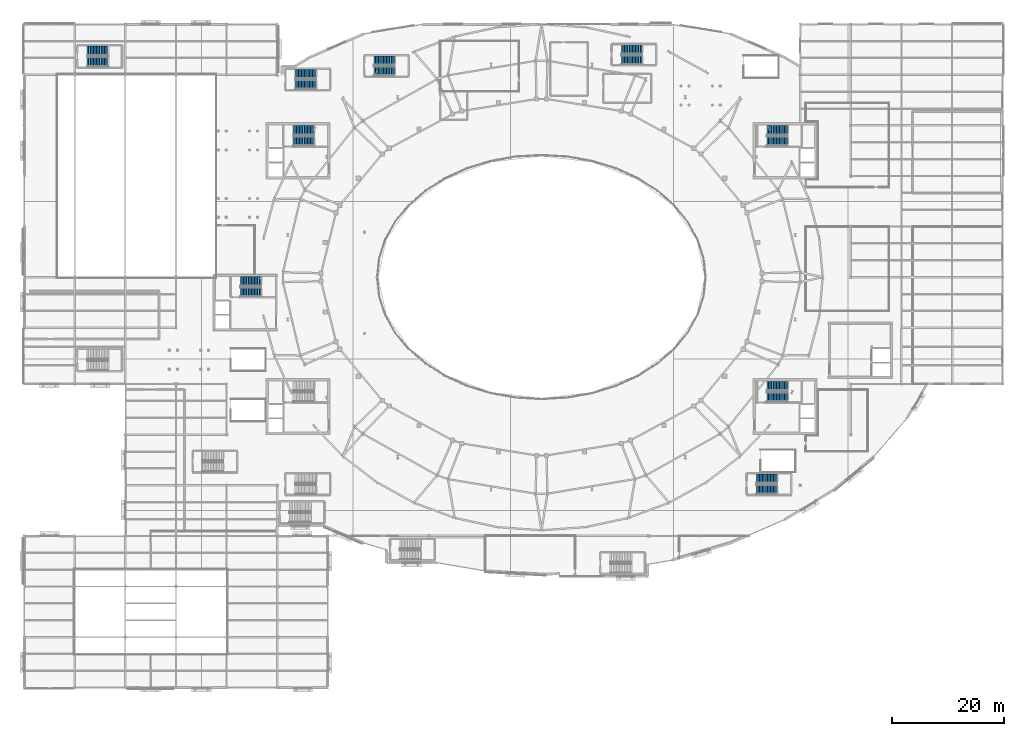
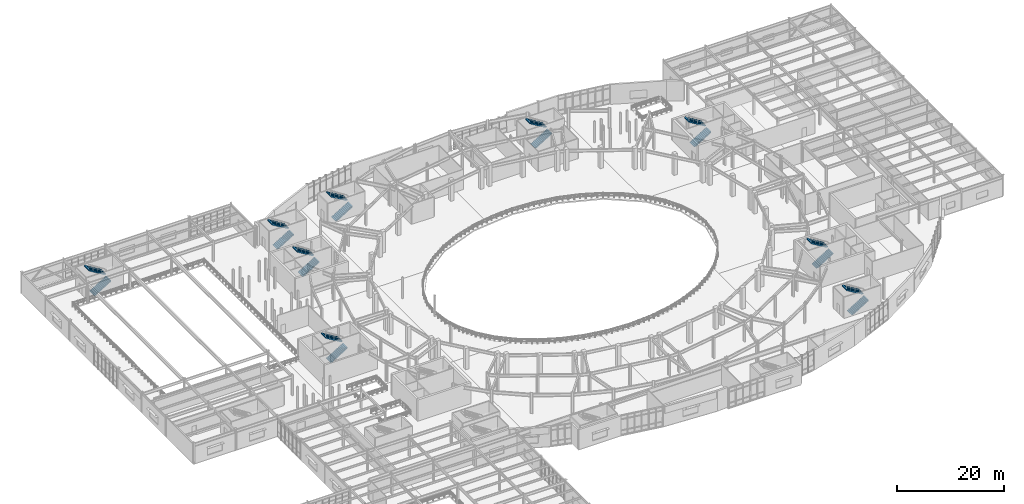
# One storey, part 68 of 86: 18 stair flights, 9 elements without a shape of their own.
"""IFC4 building model written with IfcOpenShell, lengths in metres."""

from ifc_helpers import new_model, si_unit, direction, frame, origin, place, context, subcontext, project, spatial, polyline, outline, extrude, material, type_object, element, aggregate, save


model = new_model("IFC4")

# Units and contexts
model_context = context("Model", 3, precision=1e-05, world=origin(), true_north=direction((0.0, 1.0)))
body_context = subcontext(model_context, "Body", "Model", "MODEL_VIEW")
ifc_project = project(units=[si_unit("LENGTHUNIT", "METRE"), si_unit("AREAUNIT", "SQUARE_METRE"), si_unit("VOLUMEUNIT", "CUBIC_METRE"), si_unit("PLANEANGLEUNIT", "RADIAN"), si_unit("MASSUNIT", "GRAM", prefix="KILO")], contexts=[model_context])

# Site, building, storey
site_placement = place(None, origin())
site = spatial("IfcSite", under=ifc_project, at=site_placement, CompositionType="ELEMENT")
building_placement = place(site_placement, origin())
building = spatial("IfcBuilding", under=site, at=building_placement, Name="Glasvene Arena", CompositionType="ELEMENT")
storey_placement = place(building_placement, frame((0.0, 0.0, 5.39990234375)))
storey = spatial("IfcBuildingStorey", under=building, at=storey_placement, Name="L01", CompositionType="ELEMENT", Elevation=5.39990234375)

# Stair, stair flights
ifc_material = material(Name="Concrete C40/50", Category="concrete")
stair_type_1 = type_object("IfcStairType", Name="ST-HT-480-165", PredefinedType="HALF_TURN_STAIR", material=ifc_material)
stair_1_placement = place(storey_placement, origin())
stair_1 = element("IfcStair", 1, at=stair_1_placement, inside=storey, type_object=stair_type_1, Name="Protected escape stair ST-07 (L01 to L02)", PredefinedType="HALF_TURN_STAIR")
stair_flight_type_1 = type_object("IfcStairFlightType", Name="SF-HT-480-165", PredefinedType="STRAIGHT", material=ifc_material)
stair_flight_1_placement = place(storey_placement, frame((38.449951171875, 70.375, 0.0), z_axis=(0.0, 0.0, 1.0), x_axis=(1.0, 0.0, 0.0)))
stair_flight_1 = element("IfcStairFlight", 2, at=stair_flight_1_placement, type_object=stair_flight_type_1, Name="Protected escape stair ST-07 (L01 to L02) flight 1", NumberOfRisers=14, NumberOfTreads=13, PredefinedType="STRAIGHT", RiserHeight=0.171429, TreadLength=0.28, context=body_context, shape_type="SweptSolid", body=[
    extrude(outline(polyline([(0.0, 0.0), (0.0, 0.17138671875), (0.280029296875, 0.17138671875), (0.280029296875, 0.3427734375), (0.56005859375, 0.3427734375), (0.56005859375, 0.514404296875), (0.840087890625, 0.514404296875), (0.840087890625, 0.685791015625), (1.1201171875, 0.685791015625), (1.1201171875, 0.857177734375), (1.39990234375, 0.857177734375), (1.39990234375, 1.028564453125), (1.679931640625, 1.028564453125), (1.679931640625, 1.199951171875), (1.9599609375, 1.199951171875), (1.9599609375, 1.371337890625), (2.239990234375, 1.371337890625), (2.239990234375, 1.54296875), (2.52001953125, 1.54296875), (2.52001953125, 1.71435546875), (2.800048828125, 1.71435546875), (2.800048828125, 1.8857421875), (3.080078125, 1.8857421875), (3.080078125, 2.05712890625), (3.360107421875, 2.05712890625), (3.360107421875, 2.228515625), (3.639892578125, 2.228515625), (3.639892578125, 2.39990234375), (3.639892578125, 1.994140625), (0.383056640625, 0.0), (0.0, 0.0)])), frame((0.0, 0.824951171875, 0.0), z_axis=(0.0, -1.0, 0.0), x_axis=(1.0, 0.0, 0.0)), (0.0, 0.0, 1.0), 1.64990234375),
])
stair_flight_2_placement = place(storey_placement, frame((42.090087890625, 72.27490234375, 2.400146484375), z_axis=(0.0, 0.0, 1.0), x_axis=(-1.0, 0.0, 0.0)))
stair_flight_2 = element("IfcStairFlight", 3, at=stair_flight_2_placement, type_object=stair_flight_type_1, Name="Protected escape stair ST-07 (L01 to L02) flight 2", NumberOfRisers=14, NumberOfTreads=13, PredefinedType="STRAIGHT", RiserHeight=0.171429, TreadLength=0.28, context=body_context, shape_type="SweptSolid", body=[
    extrude(outline(polyline([(0.0, 0.0), (0.0, 0.17138671875), (0.280029296875, 0.17138671875), (0.280029296875, 0.3427734375), (0.56005859375, 0.3427734375), (0.56005859375, 0.514404296875), (0.840087890625, 0.514404296875), (0.840087890625, 0.685791015625), (1.1201171875, 0.685791015625), (1.1201171875, 0.857177734375), (1.39990234375, 0.857177734375), (1.39990234375, 1.028564453125), (1.679931640625, 1.028564453125), (1.679931640625, 1.199951171875), (1.9599609375, 1.199951171875), (1.9599609375, 1.371337890625), (2.239990234375, 1.371337890625), (2.239990234375, 1.54296875), (2.52001953125, 1.54296875), (2.52001953125, 1.71435546875), (2.800048828125, 1.71435546875), (2.800048828125, 1.8857421875), (3.080078125, 1.8857421875), (3.080078125, 2.05712890625), (3.360107421875, 2.05712890625), (3.360107421875, 2.228515625), (3.639892578125, 2.228515625), (3.639892578125, 2.39990234375), (3.639892578125, 1.994140625), (0.383056640625, 0.0), (0.0, 0.0)])), frame((0.0, 0.824951171875, 0.0), z_axis=(0.0, -1.0, 0.0), x_axis=(1.0, 0.0, 0.0)), (0.0, 0.0, 1.0), 1.64990234375),
])
aggregate(stair_1, [stair_flight_1, stair_flight_2])

stair_2_placement = place(storey_placement, origin())
stair_2 = element("IfcStair", 4, at=stair_2_placement, inside=storey, type_object=stair_type_1, Name="Protected escape stair ST-10 (L01 to L02)", PredefinedType="HALF_TURN_STAIR")
stair_flight_3_placement = place(storey_placement, frame((62.199951171875, 109.625, 0.0), z_axis=(0.0, 0.0, 1.0), x_axis=(1.0, 0.0, 0.0)))
stair_flight_3 = element("IfcStairFlight", 5, at=stair_flight_3_placement, type_object=stair_flight_type_1, Name="Protected escape stair ST-10 (L01 to L02) flight 1", NumberOfRisers=14, NumberOfTreads=13, PredefinedType="STRAIGHT", RiserHeight=0.171429, TreadLength=0.28, context=body_context, shape_type="SweptSolid", body=[
    extrude(outline(polyline([(0.0, 0.0), (0.0, 0.17138671875), (0.280029296875, 0.17138671875), (0.280029296875, 0.3427734375), (0.56005859375, 0.3427734375), (0.56005859375, 0.514404296875), (0.840087890625, 0.514404296875), (0.840087890625, 0.685791015625), (1.1201171875, 0.685791015625), (1.1201171875, 0.857177734375), (1.39990234375, 0.857177734375), (1.39990234375, 1.028564453125), (1.679931640625, 1.028564453125), (1.679931640625, 1.199951171875), (1.9599609375, 1.199951171875), (1.9599609375, 1.371337890625), (2.239990234375, 1.371337890625), (2.239990234375, 1.54296875), (2.52001953125, 1.54296875), (2.52001953125, 1.71435546875), (2.800048828125, 1.71435546875), (2.800048828125, 1.8857421875), (3.080078125, 1.8857421875), (3.080078125, 2.05712890625), (3.360107421875, 2.05712890625), (3.360107421875, 2.228515625), (3.639892578125, 2.228515625), (3.639892578125, 2.39990234375), (3.639892578125, 1.994140625), (0.383056640625, 0.0), (0.0, 0.0)])), frame((0.0, 0.824951171875, 0.0), z_axis=(0.0, -1.0, 0.0), x_axis=(1.0, 0.0, 0.0)), (0.0, 0.0, 1.0), 1.64990234375),
])
stair_flight_4_placement = place(storey_placement, frame((65.840087890625, 111.52490234375, 2.400146484375), z_axis=(0.0, 0.0, 1.0), x_axis=(-1.0, 0.0, 0.0)))
stair_flight_4 = element("IfcStairFlight", 6, at=stair_flight_4_placement, type_object=stair_flight_type_1, Name="Protected escape stair ST-10 (L01 to L02) flight 2", NumberOfRisers=14, NumberOfTreads=13, PredefinedType="STRAIGHT", RiserHeight=0.171429, TreadLength=0.28, context=body_context, shape_type="SweptSolid", body=[
    extrude(outline(polyline([(0.0, 0.0), (0.0, 0.17138671875), (0.280029296875, 0.17138671875), (0.280029296875, 0.3427734375), (0.56005859375, 0.3427734375), (0.56005859375, 0.514404296875), (0.840087890625, 0.514404296875), (0.840087890625, 0.685791015625), (1.1201171875, 0.685791015625), (1.1201171875, 0.857177734375), (1.39990234375, 0.857177734375), (1.39990234375, 1.028564453125), (1.679931640625, 1.028564453125), (1.679931640625, 1.199951171875), (1.9599609375, 1.199951171875), (1.9599609375, 1.371337890625), (2.239990234375, 1.371337890625), (2.239990234375, 1.54296875), (2.52001953125, 1.54296875), (2.52001953125, 1.71435546875), (2.800048828125, 1.71435546875), (2.800048828125, 1.8857421875), (3.080078125, 1.8857421875), (3.080078125, 2.05712890625), (3.360107421875, 2.05712890625), (3.360107421875, 2.228515625), (3.639892578125, 2.228515625), (3.639892578125, 2.39990234375), (3.639892578125, 1.994140625), (0.383056640625, 0.0), (0.0, 0.0)])), frame((0.0, 0.824951171875, 0.0), z_axis=(0.0, -1.0, 0.0), x_axis=(1.0, 0.0, 0.0)), (0.0, 0.0, 1.0), 1.64990234375),
])
aggregate(stair_2, [stair_flight_3, stair_flight_4])

stair_3_placement = place(storey_placement, origin())
stair_3 = element("IfcStair", 7, at=stair_3_placement, inside=storey, type_object=stair_type_1, Name="Protected escape stair ST-11 (L01 to L02)", PredefinedType="HALF_TURN_STAIR")
stair_flight_5_placement = place(storey_placement, frame((106.199951171875, 111.625, 0.0), z_axis=(0.0, 0.0, 1.0), x_axis=(1.0, 0.0, 0.0)))
stair_flight_5 = element("IfcStairFlight", 8, at=stair_flight_5_placement, type_object=stair_flight_type_1, Name="Protected escape stair ST-11 (L01 to L02) flight 1", NumberOfRisers=14, NumberOfTreads=13, PredefinedType="STRAIGHT", RiserHeight=0.171429, TreadLength=0.28, context=body_context, shape_type="SweptSolid", body=[
    extrude(outline(polyline([(0.0, 0.0), (0.0, 0.17138671875), (0.280029296875, 0.17138671875), (0.280029296875, 0.3427734375), (0.56005859375, 0.3427734375), (0.56005859375, 0.514404296875), (0.840087890625, 0.514404296875), (0.840087890625, 0.685791015625), (1.1201171875, 0.685791015625), (1.1201171875, 0.857177734375), (1.39990234375, 0.857177734375), (1.39990234375, 1.028564453125), (1.679931640625, 1.028564453125), (1.679931640625, 1.199951171875), (1.9599609375, 1.199951171875), (1.9599609375, 1.371337890625), (2.239990234375, 1.371337890625), (2.239990234375, 1.54296875), (2.52001953125, 1.54296875), (2.52001953125, 1.71435546875), (2.800048828125, 1.71435546875), (2.800048828125, 1.8857421875), (3.080078125, 1.8857421875), (3.080078125, 2.05712890625), (3.360107421875, 2.05712890625), (3.360107421875, 2.228515625), (3.639892578125, 2.228515625), (3.639892578125, 2.39990234375), (3.639892578125, 1.994140625), (0.383056640625, 0.0), (0.0, 0.0)])), frame((0.0, 0.824951171875, 0.0), z_axis=(0.0, -1.0, 0.0), x_axis=(1.0, 0.0, 0.0)), (0.0, 0.0, 1.0), 1.64990234375),
])
stair_flight_6_placement = place(storey_placement, frame((109.840087890625, 113.52490234375, 2.400146484375), z_axis=(0.0, 0.0, 1.0), x_axis=(-1.0, 0.0, 0.0)))
stair_flight_6 = element("IfcStairFlight", 9, at=stair_flight_6_placement, type_object=stair_flight_type_1, Name="Protected escape stair ST-11 (L01 to L02) flight 2", NumberOfRisers=14, NumberOfTreads=13, PredefinedType="STRAIGHT", RiserHeight=0.171429, TreadLength=0.28, context=body_context, shape_type="SweptSolid", body=[
    extrude(outline(polyline([(0.0, 0.0), (0.0, 0.17138671875), (0.280029296875, 0.17138671875), (0.280029296875, 0.3427734375), (0.56005859375, 0.3427734375), (0.56005859375, 0.514404296875), (0.840087890625, 0.514404296875), (0.840087890625, 0.685791015625), (1.1201171875, 0.685791015625), (1.1201171875, 0.857177734375), (1.39990234375, 0.857177734375), (1.39990234375, 1.028564453125), (1.679931640625, 1.028564453125), (1.679931640625, 1.199951171875), (1.9599609375, 1.199951171875), (1.9599609375, 1.371337890625), (2.239990234375, 1.371337890625), (2.239990234375, 1.54296875), (2.52001953125, 1.54296875), (2.52001953125, 1.71435546875), (2.800048828125, 1.71435546875), (2.800048828125, 1.8857421875), (3.080078125, 1.8857421875), (3.080078125, 2.05712890625), (3.360107421875, 2.05712890625), (3.360107421875, 2.228515625), (3.639892578125, 2.228515625), (3.639892578125, 2.39990234375), (3.639892578125, 1.994140625), (0.383056640625, 0.0), (0.0, 0.0)])), frame((0.0, 0.824951171875, 0.0), z_axis=(0.0, -1.0, 0.0), x_axis=(1.0, 0.0, 0.0)), (0.0, 0.0, 1.0), 1.64990234375),
])
aggregate(stair_3, [stair_flight_5, stair_flight_6])

stair_4_placement = place(storey_placement, origin())
stair_4 = element("IfcStair", 10, at=stair_4_placement, inside=storey, type_object=stair_type_1, Name="Protected escape stair ST-12 (L01 to L02)", PredefinedType="HALF_TURN_STAIR")
stair_flight_7_placement = place(storey_placement, frame((48.199951171875, 107.22509765625, 0.0), z_axis=(0.0, 0.0, 1.0), x_axis=(1.0, 0.0, 0.0)))
stair_flight_7 = element("IfcStairFlight", 11, at=stair_flight_7_placement, type_object=stair_flight_type_1, Name="Protected escape stair ST-12 (L01 to L02) flight 1", NumberOfRisers=14, NumberOfTreads=13, PredefinedType="STRAIGHT", RiserHeight=0.171429, TreadLength=0.28, context=body_context, shape_type="SweptSolid", body=[
    extrude(outline(polyline([(0.0, 0.0), (0.0, 0.17138671875), (0.280029296875, 0.17138671875), (0.280029296875, 0.3427734375), (0.56005859375, 0.3427734375), (0.56005859375, 0.514404296875), (0.840087890625, 0.514404296875), (0.840087890625, 0.685791015625), (1.1201171875, 0.685791015625), (1.1201171875, 0.857177734375), (1.39990234375, 0.857177734375), (1.39990234375, 1.028564453125), (1.679931640625, 1.028564453125), (1.679931640625, 1.199951171875), (1.9599609375, 1.199951171875), (1.9599609375, 1.371337890625), (2.239990234375, 1.371337890625), (2.239990234375, 1.54296875), (2.52001953125, 1.54296875), (2.52001953125, 1.71435546875), (2.800048828125, 1.71435546875), (2.800048828125, 1.8857421875), (3.080078125, 1.8857421875), (3.080078125, 2.05712890625), (3.360107421875, 2.05712890625), (3.360107421875, 2.228515625), (3.639892578125, 2.228515625), (3.639892578125, 2.39990234375), (3.639892578125, 1.994140625), (0.383056640625, 0.0), (0.0, 0.0)])), frame((0.0, 0.824951171875, 0.0), z_axis=(0.0, -1.0, 0.0), x_axis=(1.0, 0.0, 0.0)), (0.0, 0.0, 1.0), 1.64990234375),
])
stair_flight_8_placement = place(storey_placement, frame((51.840087890625, 109.125, 2.400146484375), z_axis=(0.0, 0.0, 1.0), x_axis=(-1.0, 0.0, 0.0)))
stair_flight_8 = element("IfcStairFlight", 12, at=stair_flight_8_placement, type_object=stair_flight_type_1, Name="Protected escape stair ST-12 (L01 to L02) flight 2", NumberOfRisers=14, NumberOfTreads=13, PredefinedType="STRAIGHT", RiserHeight=0.171429, TreadLength=0.28, context=body_context, shape_type="SweptSolid", body=[
    extrude(outline(polyline([(0.0, 0.0), (0.0, 0.17138671875), (0.280029296875, 0.17138671875), (0.280029296875, 0.3427734375), (0.56005859375, 0.3427734375), (0.56005859375, 0.514404296875), (0.840087890625, 0.514404296875), (0.840087890625, 0.685791015625), (1.1201171875, 0.685791015625), (1.1201171875, 0.857177734375), (1.39990234375, 0.857177734375), (1.39990234375, 1.028564453125), (1.679931640625, 1.028564453125), (1.679931640625, 1.199951171875), (1.9599609375, 1.199951171875), (1.9599609375, 1.371337890625), (2.239990234375, 1.371337890625), (2.239990234375, 1.54296875), (2.52001953125, 1.54296875), (2.52001953125, 1.71435546875), (2.800048828125, 1.71435546875), (2.800048828125, 1.8857421875), (3.080078125, 1.8857421875), (3.080078125, 2.05712890625), (3.360107421875, 2.05712890625), (3.360107421875, 2.228515625), (3.639892578125, 2.228515625), (3.639892578125, 2.39990234375), (3.639892578125, 1.994140625), (0.383056640625, 0.0), (0.0, 0.0)])), frame((0.0, 0.824951171875, 0.0), z_axis=(0.0, -1.0, 0.0), x_axis=(1.0, 0.0, 0.0)), (0.0, 0.0, 1.0), 1.64990234375),
])
aggregate(stair_4, [stair_flight_7, stair_flight_8])

stair_type_2 = type_object("IfcStairType", Name="ST-HT-480-170", PredefinedType="HALF_TURN_STAIR", material=ifc_material)
stair_5_placement = place(storey_placement, origin())
stair_5 = element("IfcStair", 13, at=stair_5_placement, inside=storey, type_object=stair_type_2, Name="Protected escape stair ST-01 (L01 to L02)", PredefinedType="HALF_TURN_STAIR")
stair_flight_type_2 = type_object("IfcStairFlightType", Name="SF-HT-480-170", PredefinedType="STRAIGHT", material=ifc_material)
stair_flight_9_placement = place(storey_placement, frame((47.85009765625, 97.199951171875, 0.0), z_axis=(0.0, 0.0, 1.0), x_axis=(1.0, 0.0, 0.0)))
stair_flight_9 = element("IfcStairFlight", 14, at=stair_flight_9_placement, type_object=stair_flight_type_2, Name="Protected escape stair ST-01 (L01 to L02) flight 1", NumberOfRisers=14, NumberOfTreads=13, PredefinedType="STRAIGHT", RiserHeight=0.171429, TreadLength=0.28, context=body_context, shape_type="SweptSolid", body=[
    extrude(outline(polyline([(0.0, 0.0), (0.0, 0.17138671875), (0.280029296875, 0.17138671875), (0.280029296875, 0.3427734375), (0.56005859375, 0.3427734375), (0.56005859375, 0.514404296875), (0.840087890625, 0.514404296875), (0.840087890625, 0.685791015625), (1.1201171875, 0.685791015625), (1.1201171875, 0.857177734375), (1.39990234375, 0.857177734375), (1.39990234375, 1.028564453125), (1.679931640625, 1.028564453125), (1.679931640625, 1.199951171875), (1.9599609375, 1.199951171875), (1.9599609375, 1.371337890625), (2.239990234375, 1.371337890625), (2.239990234375, 1.54296875), (2.52001953125, 1.54296875), (2.52001953125, 1.71435546875), (2.800048828125, 1.71435546875), (2.800048828125, 1.8857421875), (3.080078125, 1.8857421875), (3.080078125, 2.05712890625), (3.360107421875, 2.05712890625), (3.360107421875, 2.228515625), (3.639892578125, 2.228515625), (3.639892578125, 2.39990234375), (3.639892578125, 1.994140625), (0.383056640625, 0.0), (0.0, 0.0)])), frame((0.0, 0.85009765625, 0.0), z_axis=(0.0, -1.0, 0.0), x_axis=(1.0, 0.0, 0.0)), (0.0, 0.0, 1.0), 1.699951171875),
])
stair_flight_10_placement = place(storey_placement, frame((51.489990234375, 99.14990234375, 2.400146484375), z_axis=(0.0, 0.0, 1.0), x_axis=(-1.0, 0.0, 0.0)))
stair_flight_10 = element("IfcStairFlight", 15, at=stair_flight_10_placement, type_object=stair_flight_type_2, Name="Protected escape stair ST-01 (L01 to L02) flight 2", NumberOfRisers=14, NumberOfTreads=13, PredefinedType="STRAIGHT", RiserHeight=0.171429, TreadLength=0.28, context=body_context, shape_type="SweptSolid", body=[
    extrude(outline(polyline([(0.0, 0.0), (0.0, 0.17138671875), (0.280029296875, 0.17138671875), (0.280029296875, 0.3427734375), (0.56005859375, 0.3427734375), (0.56005859375, 0.514404296875), (0.840087890625, 0.514404296875), (0.840087890625, 0.685791015625), (1.1201171875, 0.685791015625), (1.1201171875, 0.857177734375), (1.39990234375, 0.857177734375), (1.39990234375, 1.028564453125), (1.679931640625, 1.028564453125), (1.679931640625, 1.199951171875), (1.9599609375, 1.199951171875), (1.9599609375, 1.371337890625), (2.239990234375, 1.371337890625), (2.239990234375, 1.54296875), (2.52001953125, 1.54296875), (2.52001953125, 1.71435546875), (2.800048828125, 1.71435546875), (2.800048828125, 1.8857421875), (3.080078125, 1.8857421875), (3.080078125, 2.05712890625), (3.360107421875, 2.05712890625), (3.360107421875, 2.228515625), (3.639892578125, 2.228515625), (3.639892578125, 2.39990234375), (3.639892578125, 1.994140625), (0.383056640625, 0.0), (0.0, 0.0)])), frame((0.0, 0.85009765625, 0.0), z_axis=(0.0, -1.0, 0.0), x_axis=(1.0, 0.0, 0.0)), (0.0, 0.0, 1.0), 1.699951171875),
])
aggregate(stair_5, [stair_flight_9, stair_flight_10])

stair_6_placement = place(storey_placement, origin())
stair_6 = element("IfcStair", 16, at=stair_6_placement, inside=storey, type_object=stair_type_2, Name="Protected escape stair ST-02 (L01 to L02)", PredefinedType="HALF_TURN_STAIR")
stair_flight_11_placement = place(storey_placement, frame((132.10009765625, 97.199951171875, 0.0), z_axis=(0.0, 0.0, 1.0), x_axis=(1.0, 0.0, 0.0)))
stair_flight_11 = element("IfcStairFlight", 17, at=stair_flight_11_placement, type_object=stair_flight_type_2, Name="Protected escape stair ST-02 (L01 to L02) flight 1", NumberOfRisers=14, NumberOfTreads=13, PredefinedType="STRAIGHT", RiserHeight=0.171429, TreadLength=0.28, context=body_context, shape_type="SweptSolid", body=[
    extrude(outline(polyline([(0.0, 0.0), (0.0, 0.17138671875), (0.280029296875, 0.17138671875), (0.280029296875, 0.3427734375), (0.56005859375, 0.3427734375), (0.56005859375, 0.514404296875), (0.840087890625, 0.514404296875), (0.840087890625, 0.685791015625), (1.1201171875, 0.685791015625), (1.1201171875, 0.857177734375), (1.39990234375, 0.857177734375), (1.39990234375, 1.028564453125), (1.679931640625, 1.028564453125), (1.679931640625, 1.199951171875), (1.9599609375, 1.199951171875), (1.9599609375, 1.371337890625), (2.239990234375, 1.371337890625), (2.239990234375, 1.54296875), (2.52001953125, 1.54296875), (2.52001953125, 1.71435546875), (2.800048828125, 1.71435546875), (2.800048828125, 1.8857421875), (3.080078125, 1.8857421875), (3.080078125, 2.05712890625), (3.360107421875, 2.05712890625), (3.360107421875, 2.228515625), (3.639892578125, 2.228515625), (3.639892578125, 2.39990234375), (3.639892578125, 1.994140625), (0.383056640625, 0.0), (0.0, 0.0)])), frame((0.0, 0.85009765625, 0.0), z_axis=(0.0, -1.0, 0.0), x_axis=(1.0, 0.0, 0.0)), (0.0, 0.0, 1.0), 1.699951171875),
])
stair_flight_12_placement = place(storey_placement, frame((135.739990234375, 99.14990234375, 2.400146484375), z_axis=(0.0, 0.0, 1.0), x_axis=(-1.0, 0.0, 0.0)))
stair_flight_12 = element("IfcStairFlight", 18, at=stair_flight_12_placement, type_object=stair_flight_type_2, Name="Protected escape stair ST-02 (L01 to L02) flight 2", NumberOfRisers=14, NumberOfTreads=13, PredefinedType="STRAIGHT", RiserHeight=0.171429, TreadLength=0.28, context=body_context, shape_type="SweptSolid", body=[
    extrude(outline(polyline([(0.0, 0.0), (0.0, 0.17138671875), (0.280029296875, 0.17138671875), (0.280029296875, 0.3427734375), (0.56005859375, 0.3427734375), (0.56005859375, 0.514404296875), (0.840087890625, 0.514404296875), (0.840087890625, 0.685791015625), (1.1201171875, 0.685791015625), (1.1201171875, 0.857177734375), (1.39990234375, 0.857177734375), (1.39990234375, 1.028564453125), (1.679931640625, 1.028564453125), (1.679931640625, 1.199951171875), (1.9599609375, 1.199951171875), (1.9599609375, 1.371337890625), (2.239990234375, 1.371337890625), (2.239990234375, 1.54296875), (2.52001953125, 1.54296875), (2.52001953125, 1.71435546875), (2.800048828125, 1.71435546875), (2.800048828125, 1.8857421875), (3.080078125, 1.8857421875), (3.080078125, 2.05712890625), (3.360107421875, 2.05712890625), (3.360107421875, 2.228515625), (3.639892578125, 2.228515625), (3.639892578125, 2.39990234375), (3.639892578125, 1.994140625), (0.383056640625, 0.0), (0.0, 0.0)])), frame((0.0, 0.85009765625, 0.0), z_axis=(0.0, -1.0, 0.0), x_axis=(1.0, 0.0, 0.0)), (0.0, 0.0, 1.0), 1.699951171875),
])
aggregate(stair_6, [stair_flight_11, stair_flight_12])

stair_7_placement = place(storey_placement, origin())
stair_7 = element("IfcStair", 19, at=stair_7_placement, inside=storey, type_object=stair_type_2, Name="Protected escape stair ST-04 (L01 to L02)", PredefinedType="HALF_TURN_STAIR")
stair_flight_13_placement = place(storey_placement, frame((132.10009765625, 51.699951171875, 0.0), z_axis=(0.0, 0.0, 1.0), x_axis=(1.0, 0.0, 0.0)))
stair_flight_13 = element("IfcStairFlight", 20, at=stair_flight_13_placement, type_object=stair_flight_type_2, Name="Protected escape stair ST-04 (L01 to L02) flight 1", NumberOfRisers=14, NumberOfTreads=13, PredefinedType="STRAIGHT", RiserHeight=0.171429, TreadLength=0.28, context=body_context, shape_type="SweptSolid", body=[
    extrude(outline(polyline([(0.0, 0.0), (0.0, 0.17138671875), (0.280029296875, 0.17138671875), (0.280029296875, 0.3427734375), (0.56005859375, 0.3427734375), (0.56005859375, 0.514404296875), (0.840087890625, 0.514404296875), (0.840087890625, 0.685791015625), (1.1201171875, 0.685791015625), (1.1201171875, 0.857177734375), (1.39990234375, 0.857177734375), (1.39990234375, 1.028564453125), (1.679931640625, 1.028564453125), (1.679931640625, 1.199951171875), (1.9599609375, 1.199951171875), (1.9599609375, 1.371337890625), (2.239990234375, 1.371337890625), (2.239990234375, 1.54296875), (2.52001953125, 1.54296875), (2.52001953125, 1.71435546875), (2.800048828125, 1.71435546875), (2.800048828125, 1.8857421875), (3.080078125, 1.8857421875), (3.080078125, 2.05712890625), (3.360107421875, 2.05712890625), (3.360107421875, 2.228515625), (3.639892578125, 2.228515625), (3.639892578125, 2.39990234375), (3.639892578125, 1.994140625), (0.383056640625, 0.0), (0.0, 0.0)])), frame((0.0, 0.85009765625, 0.0), z_axis=(0.0, -1.0, 0.0), x_axis=(1.0, 0.0, 0.0)), (0.0, 0.0, 1.0), 1.699951171875),
])
stair_flight_14_placement = place(storey_placement, frame((135.739990234375, 53.64990234375, 2.400146484375), z_axis=(0.0, 0.0, 1.0), x_axis=(-1.0, 0.0, 0.0)))
stair_flight_14 = element("IfcStairFlight", 21, at=stair_flight_14_placement, type_object=stair_flight_type_2, Name="Protected escape stair ST-04 (L01 to L02) flight 2", NumberOfRisers=14, NumberOfTreads=13, PredefinedType="STRAIGHT", RiserHeight=0.171429, TreadLength=0.28, context=body_context, shape_type="SweptSolid", body=[
    extrude(outline(polyline([(0.0, 0.0), (0.0, 0.17138671875), (0.280029296875, 0.17138671875), (0.280029296875, 0.3427734375), (0.56005859375, 0.3427734375), (0.56005859375, 0.514404296875), (0.840087890625, 0.514404296875), (0.840087890625, 0.685791015625), (1.1201171875, 0.685791015625), (1.1201171875, 0.857177734375), (1.39990234375, 0.857177734375), (1.39990234375, 1.028564453125), (1.679931640625, 1.028564453125), (1.679931640625, 1.199951171875), (1.9599609375, 1.199951171875), (1.9599609375, 1.371337890625), (2.239990234375, 1.371337890625), (2.239990234375, 1.54296875), (2.52001953125, 1.54296875), (2.52001953125, 1.71435546875), (2.800048828125, 1.71435546875), (2.800048828125, 1.8857421875), (3.080078125, 1.8857421875), (3.080078125, 2.05712890625), (3.360107421875, 2.05712890625), (3.360107421875, 2.228515625), (3.639892578125, 2.228515625), (3.639892578125, 2.39990234375), (3.639892578125, 1.994140625), (0.383056640625, 0.0), (0.0, 0.0)])), frame((0.0, 0.85009765625, 0.0), z_axis=(0.0, -1.0, 0.0), x_axis=(1.0, 0.0, 0.0)), (0.0, 0.0, 1.0), 1.699951171875),
])
aggregate(stair_7, [stair_flight_13, stair_flight_14])

stair_8_placement = place(storey_placement, origin())
stair_8 = element("IfcStair", 22, at=stair_8_placement, inside=storey, type_object=stair_type_2, Name="Protected escape stair ST-06 (L01 to L02)", PredefinedType="HALF_TURN_STAIR")
stair_flight_15_placement = place(storey_placement, frame((130.199951171875, 35.25, 0.0), z_axis=(0.0, 0.0, 1.0), x_axis=(1.0, 0.0, 0.0)))
stair_flight_15 = element("IfcStairFlight", 23, at=stair_flight_15_placement, type_object=stair_flight_type_2, Name="Protected escape stair ST-06 (L01 to L02) flight 1", NumberOfRisers=14, NumberOfTreads=13, PredefinedType="STRAIGHT", RiserHeight=0.171429, TreadLength=0.28, context=body_context, shape_type="SweptSolid", body=[
    extrude(outline(polyline([(0.0, 0.0), (0.0, 0.17138671875), (0.280029296875, 0.17138671875), (0.280029296875, 0.3427734375), (0.56005859375, 0.3427734375), (0.56005859375, 0.514404296875), (0.840087890625, 0.514404296875), (0.840087890625, 0.685791015625), (1.1201171875, 0.685791015625), (1.1201171875, 0.857177734375), (1.39990234375, 0.857177734375), (1.39990234375, 1.028564453125), (1.679931640625, 1.028564453125), (1.679931640625, 1.199951171875), (1.9599609375, 1.199951171875), (1.9599609375, 1.371337890625), (2.239990234375, 1.371337890625), (2.239990234375, 1.54296875), (2.52001953125, 1.54296875), (2.52001953125, 1.71435546875), (2.800048828125, 1.71435546875), (2.800048828125, 1.8857421875), (3.080078125, 1.8857421875), (3.080078125, 2.05712890625), (3.360107421875, 2.05712890625), (3.360107421875, 2.228515625), (3.639892578125, 2.228515625), (3.639892578125, 2.39990234375), (3.639892578125, 1.994140625), (0.383056640625, 0.0), (0.0, 0.0)])), frame((0.0, 0.85009765625, 0.0), z_axis=(0.0, -1.0, 0.0), x_axis=(1.0, 0.0, 0.0)), (0.0, 0.0, 1.0), 1.699951171875),
])
stair_flight_16_placement = place(storey_placement, frame((133.840087890625, 37.199951171875, 2.400146484375), z_axis=(0.0, 0.0, 1.0), x_axis=(-1.0, 0.0, 0.0)))
stair_flight_16 = element("IfcStairFlight", 24, at=stair_flight_16_placement, type_object=stair_flight_type_2, Name="Protected escape stair ST-06 (L01 to L02) flight 2", NumberOfRisers=14, NumberOfTreads=13, PredefinedType="STRAIGHT", RiserHeight=0.171429, TreadLength=0.28, context=body_context, shape_type="SweptSolid", body=[
    extrude(outline(polyline([(0.0, 0.0), (0.0, 0.17138671875), (0.280029296875, 0.17138671875), (0.280029296875, 0.3427734375), (0.56005859375, 0.3427734375), (0.56005859375, 0.514404296875), (0.840087890625, 0.514404296875), (0.840087890625, 0.685791015625), (1.1201171875, 0.685791015625), (1.1201171875, 0.857177734375), (1.39990234375, 0.857177734375), (1.39990234375, 1.028564453125), (1.679931640625, 1.028564453125), (1.679931640625, 1.199951171875), (1.9599609375, 1.199951171875), (1.9599609375, 1.371337890625), (2.239990234375, 1.371337890625), (2.239990234375, 1.54296875), (2.52001953125, 1.54296875), (2.52001953125, 1.71435546875), (2.800048828125, 1.71435546875), (2.800048828125, 1.8857421875), (3.080078125, 1.8857421875), (3.080078125, 2.05712890625), (3.360107421875, 2.05712890625), (3.360107421875, 2.228515625), (3.639892578125, 2.228515625), (3.639892578125, 2.39990234375), (3.639892578125, 1.994140625), (0.383056640625, 0.0), (0.0, 0.0)])), frame((0.0, 0.85009765625, 0.0), z_axis=(0.0, -1.0, 0.0), x_axis=(1.0, 0.0, 0.0)), (0.0, 0.0, 1.0), 1.699951171875),
])
aggregate(stair_8, [stair_flight_15, stair_flight_16])

stair_type_3 = type_object("IfcStairType", Name="ST-HT-480-175", PredefinedType="HALF_TURN_STAIR", material=ifc_material)
stair_9_placement = place(storey_placement, origin())
stair_9 = element("IfcStair", 25, at=stair_9_placement, inside=storey, type_object=stair_type_3, Name="Protected escape stair ST-14 (L01 to L02)", PredefinedType="HALF_TURN_STAIR")
stair_flight_type_3 = type_object("IfcStairFlightType", Name="SF-HT-480-175", PredefinedType="STRAIGHT", material=ifc_material)
stair_flight_17_placement = place(storey_placement, frame((11.199951171875, 111.27490234375, 0.0), z_axis=(0.0, 0.0, 1.0), x_axis=(1.0, 0.0, 0.0)))
stair_flight_17 = element("IfcStairFlight", 26, at=stair_flight_17_placement, type_object=stair_flight_type_3, Name="Protected escape stair ST-14 (L01 to L02) flight 1", NumberOfRisers=14, NumberOfTreads=13, PredefinedType="STRAIGHT", RiserHeight=0.171429, TreadLength=0.28, context=body_context, shape_type="SweptSolid", body=[
    extrude(outline(polyline([(0.0, 0.0), (0.0, 0.17138671875), (0.280029296875, 0.17138671875), (0.280029296875, 0.3427734375), (0.56005859375, 0.3427734375), (0.56005859375, 0.514404296875), (0.840087890625, 0.514404296875), (0.840087890625, 0.685791015625), (1.1201171875, 0.685791015625), (1.1201171875, 0.857177734375), (1.39990234375, 0.857177734375), (1.39990234375, 1.028564453125), (1.679931640625, 1.028564453125), (1.679931640625, 1.199951171875), (1.9599609375, 1.199951171875), (1.9599609375, 1.371337890625), (2.239990234375, 1.371337890625), (2.239990234375, 1.54296875), (2.52001953125, 1.54296875), (2.52001953125, 1.71435546875), (2.800048828125, 1.71435546875), (2.800048828125, 1.8857421875), (3.080078125, 1.8857421875), (3.080078125, 2.05712890625), (3.360107421875, 2.05712890625), (3.360107421875, 2.228515625), (3.639892578125, 2.228515625), (3.639892578125, 2.39990234375), (3.639892578125, 1.994140625), (0.383056640625, 0.0), (0.0, 0.0)])), frame((0.0, 0.875, 0.0), z_axis=(0.0, -1.0, 0.0), x_axis=(1.0, 0.0, 0.0)), (0.0, 0.0, 1.0), 1.75),
])
stair_flight_18_placement = place(storey_placement, frame((14.840087890625, 113.27490234375, 2.400146484375), z_axis=(0.0, 0.0, 1.0), x_axis=(-1.0, 0.0, 0.0)))
stair_flight_18 = element("IfcStairFlight", 27, at=stair_flight_18_placement, type_object=stair_flight_type_3, Name="Protected escape stair ST-14 (L01 to L02) flight 2", NumberOfRisers=14, NumberOfTreads=13, PredefinedType="STRAIGHT", RiserHeight=0.171429, TreadLength=0.28, context=body_context, shape_type="SweptSolid", body=[
    extrude(outline(polyline([(0.0, 0.0), (0.0, 0.17138671875), (0.280029296875, 0.17138671875), (0.280029296875, 0.3427734375), (0.56005859375, 0.3427734375), (0.56005859375, 0.514404296875), (0.840087890625, 0.514404296875), (0.840087890625, 0.685791015625), (1.1201171875, 0.685791015625), (1.1201171875, 0.857177734375), (1.39990234375, 0.857177734375), (1.39990234375, 1.028564453125), (1.679931640625, 1.028564453125), (1.679931640625, 1.199951171875), (1.9599609375, 1.199951171875), (1.9599609375, 1.371337890625), (2.239990234375, 1.371337890625), (2.239990234375, 1.54296875), (2.52001953125, 1.54296875), (2.52001953125, 1.71435546875), (2.800048828125, 1.71435546875), (2.800048828125, 1.8857421875), (3.080078125, 1.8857421875), (3.080078125, 2.05712890625), (3.360107421875, 2.05712890625), (3.360107421875, 2.228515625), (3.639892578125, 2.228515625), (3.639892578125, 2.39990234375), (3.639892578125, 1.994140625), (0.383056640625, 0.0), (0.0, 0.0)])), frame((0.0, 0.875, 0.0), z_axis=(0.0, -1.0, 0.0), x_axis=(1.0, 0.0, 0.0)), (0.0, 0.0, 1.0), 1.75),
])
aggregate(stair_9, [stair_flight_17, stair_flight_18])

save(model, "model.ifc")
